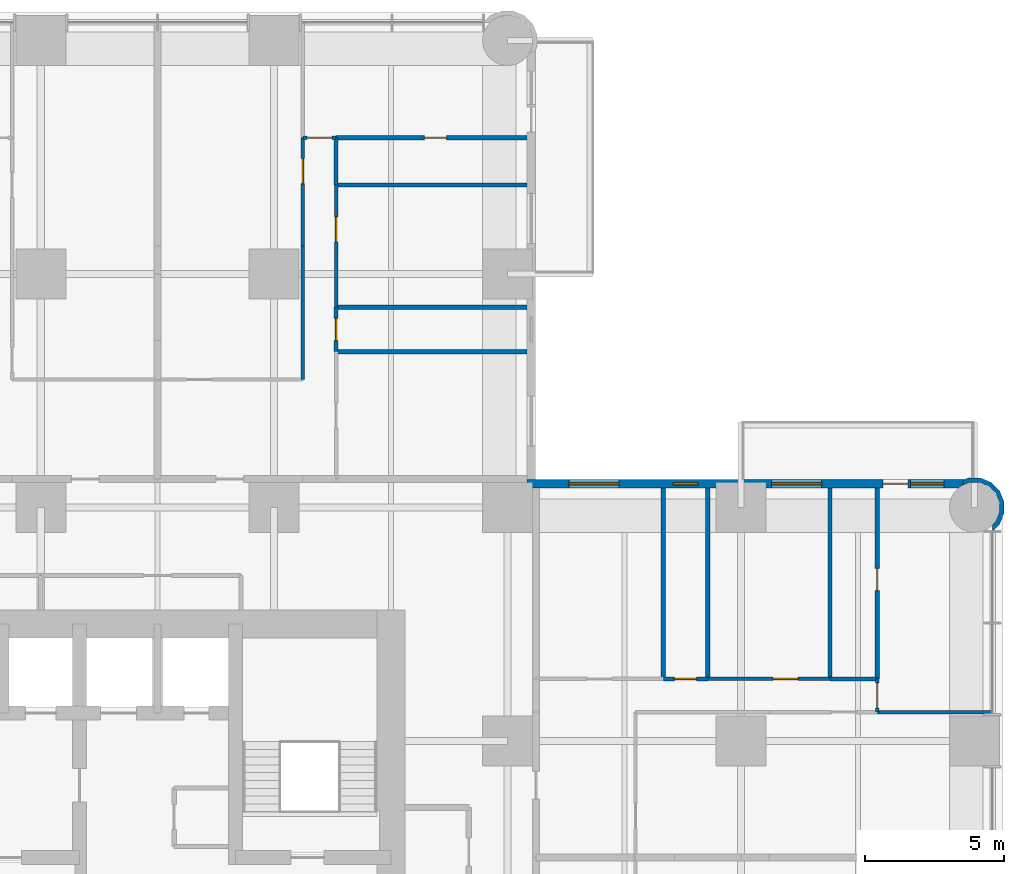
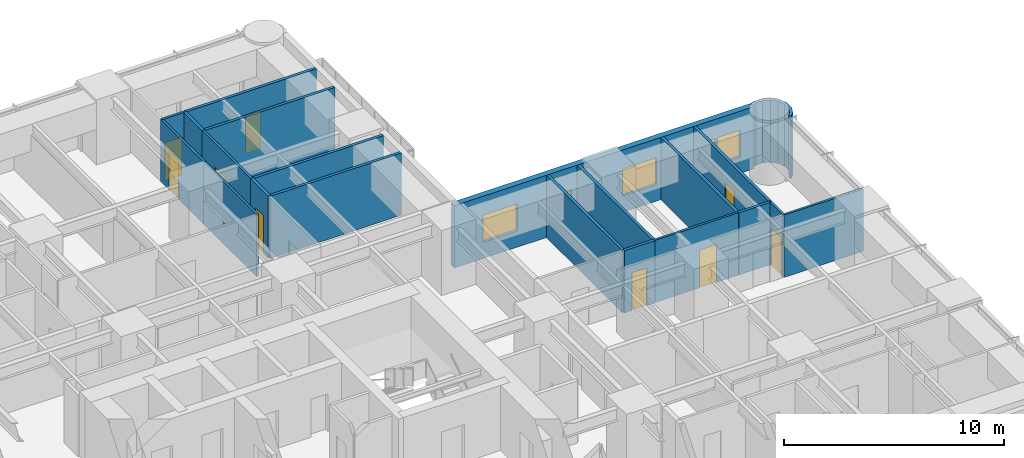
# One storey, part 14 of 17: 21 walls, 10 doors, 4 windows, 14 openings.
"""IFC4 building model written with IfcOpenShell, lengths in metres."""

from ifc_helpers import new_model, si_unit, direction, frame, frame_2d, origin, place, context, subcontext, project, spatial, polyline, rectangle, outline, extrude, material, layer, layer_set, type_object, element, fill, save


model = new_model("IFC4")

# Units and contexts
model_context = context("Model", 3, precision=1e-05, world=origin(), true_north=direction((0.0, 1.0)))
body_context = subcontext(model_context, "Body", "Model", "MODEL_VIEW")
ifc_project = project(units=[si_unit("LENGTHUNIT", "METRE"), si_unit("AREAUNIT", "SQUARE_METRE"), si_unit("VOLUMEUNIT", "CUBIC_METRE"), si_unit("PLANEANGLEUNIT", "RADIAN"), si_unit("MASSUNIT", "GRAM", prefix="KILO")], contexts=[model_context])

# Site, building, storey
site_placement = place(None, origin())
site = spatial("IfcSite", under=ifc_project, at=site_placement, CompositionType="ELEMENT")
building_placement = place(site_placement, origin())
building = spatial("IfcBuilding", under=site, at=building_placement, Name="Torre Alcanfor", CompositionType="ELEMENT")
storey_placement = place(building_placement, frame((0.0, 0.0, 77.699951171875)))
storey = spatial("IfcBuildingStorey", under=building, at=storey_placement, Name="L19", CompositionType="ELEMENT", Elevation=77.699951171875)

# Wall
ifc_material_1 = material(Name="Gypsum board on steel studs", Category="steel")
ifc_layer_1 = layer(ifc_material_1, 0.1201171875)
ifc_layer_set_1 = layer_set([ifc_layer_1], Name="Apartment partition 120")
wall_type_1 = type_object("IfcWallType", Name="Apartment partition 120", PredefinedType="PARTITIONING", material=ifc_layer_set_1)
wall_1_placement = place(storey_placement, frame((34.62890625, 51.39990234375, 0.0), z_axis=(0.0, 0.0, 1.0), x_axis=(0.0, -1.0, 0.0)))
element("IfcWall", 1, at=wall_1_placement, inside=storey, type_object=wall_type_1, Name="Partition L19-N2-KITCHEN / L19-N2-HALL", PredefinedType="PARTITIONING", context=body_context, shape_type="SweptSolid", body=[
    extrude(rectangle(XDim=4.7998046875, YDim=0.1201171875, at=frame_2d((2.39990234375, 0.0))), origin(), (0.0, 0.0, 1.0), 3.449951171875),
])

# Wall, opening, door
wall_2_placement = place(storey_placement, frame((34.62890625, 55.300048828125, 0.0), z_axis=(0.0, 0.0, 1.0), x_axis=(0.0, -1.0, 0.0)))
wall_2 = element("IfcWall", 2, at=wall_2_placement, inside=storey, type_object=wall_type_1, Name="Partition L19-N2-LIVING / L19-N2-HALL", PredefinedType="PARTITIONING", context=body_context, shape_type="SweptSolid", body=[
    extrude(rectangle(XDim=3.900146484375, YDim=0.1201171875, at=frame_2d((1.9501953125, 0.0))), origin(), (0.0, 0.0, 1.0), 3.449951171875),
])
opening_1_placement = place(wall_2_placement, frame((0.75, 0.0, 0.0)))
opening_1 = element("IfcOpeningElement", 3, at=opening_1_placement, cuts=wall_2, Name="Opening D-R1", PredefinedType="OPENING", context=body_context, shape_type="SweptSolid", body=[
    extrude(rectangle(XDim=0.89990234375, YDim=2.10009765625, at=frame_2d((0.449951171875, 1.050048828125))), frame((0.0, 0.070068359375, 0.0), z_axis=(0.0, -1.0, 0.0), x_axis=(1.0, 0.0, 0.0)), (0.0, 0.0, 1.0), 0.14013671875),
])
ifc_material_2 = material(Name="Timber", Category="wood")
door_type_1 = type_object("IfcDoorType", Name="Internal door 900x2100", OperationType="SINGLE_SWING_LEFT", PredefinedType="DOOR", material=ifc_material_2)
door_1_placement = place(opening_1_placement, frame((0.89990234375, 0.0, 0.0), z_axis=(0.0, 0.0, 1.0), x_axis=(-1.0, 0.0, 0.0)))
door_1 = element("IfcDoor", 4, at=door_1_placement, inside=storey, type_object=door_type_1, Name="Door L19-N2 living", OperationType="SINGLE_SWING_LEFT", OverallHeight=2.10009765625, OverallWidth=0.89990234375, PredefinedType="DOOR", context=body_context, shape_type="SweptSolid", body=[
    extrude(rectangle(XDim=0.89990234375, YDim=2.10009765625, at=frame_2d((0.449951171875, 1.050048828125))), frame((0.0, 0.025146484375, 0.0), z_axis=(0.0, -1.0, 0.0), x_axis=(1.0, 0.0, 0.0)), (0.0, 0.0, 1.0), 0.050048828125),
])
fill(opening_1, door_1)

wall_3_placement = place(storey_placement, frame((35.8291015625, 53.60009765625, 0.0), z_axis=(0.0, 0.0, 1.0), x_axis=(0.0, -1.0, 0.0)))
wall_3 = element("IfcWall", 5, at=wall_3_placement, inside=storey, type_object=wall_type_1, Name="Partition L19-N2-HALL / L19-N2-BED2", PredefinedType="PARTITIONING", context=body_context, shape_type="SweptSolid", body=[
    extrude(rectangle(XDim=4.400146484375, YDim=0.1201171875, at=frame_2d((2.2001953125, 0.0))), origin(), (0.0, 0.0, 1.0), 3.449951171875),
])
opening_2_placement = place(wall_3_placement, frame((1.14990234375, 0.0, 0.0)))
opening_2 = element("IfcOpeningElement", 6, at=opening_2_placement, cuts=wall_3, Name="Opening D-R1", PredefinedType="OPENING", context=body_context, shape_type="SweptSolid", body=[
    extrude(rectangle(XDim=0.89990234375, YDim=2.10009765625, at=frame_2d((0.449951171875, 1.050048828125))), frame((0.0, 0.070068359375, 0.0), z_axis=(0.0, -1.0, 0.0), x_axis=(1.0, 0.0, 0.0)), (0.0, 0.0, 1.0), 0.14013671875),
])
door_2_placement = place(opening_2_placement, origin())
door_2 = element("IfcDoor", 7, at=door_2_placement, inside=storey, type_object=door_type_1, Name="Door L19-N2 bed2", OperationType="SINGLE_SWING_LEFT", OverallHeight=2.10009765625, OverallWidth=0.89990234375, PredefinedType="DOOR", context=body_context, shape_type="SweptSolid", body=[
    extrude(rectangle(XDim=0.89990234375, YDim=2.10009765625, at=frame_2d((0.449951171875, 1.050048828125))), frame((0.0, 0.02490234375, 0.0), z_axis=(0.0, -1.0, 0.0), x_axis=(1.0, 0.0, 0.0)), (0.0, 0.0, 1.0), 0.050048828125),
])
fill(opening_2, door_2)

wall_4_placement = place(storey_placement, frame((34.62890625, 55.300048828125, 0.0), z_axis=(0.0, 0.0, 1.0), x_axis=(1.0, 0.0, 0.0)))
wall_4 = element("IfcWall", 8, at=wall_4_placement, inside=storey, type_object=wall_type_1, Name="Partition L19-N2-HALL / L19-N2-MASTER", PredefinedType="PARTITIONING", context=body_context, shape_type="SweptSolid", body=[
    extrude(rectangle(XDim=1.2001953125, YDim=0.1201171875, at=frame_2d((0.60009765625, 0.0))), origin(), (0.0, 0.0, 1.0), 3.449951171875),
])
opening_3_placement = place(wall_4_placement, frame((0.15087890625, 0.0, 0.0)))
opening_3 = element("IfcOpeningElement", 9, at=opening_3_placement, cuts=wall_4, Name="Opening D-R1", PredefinedType="OPENING", context=body_context, shape_type="SweptSolid", body=[
    extrude(rectangle(XDim=0.89990234375, YDim=2.10009765625, at=frame_2d((0.449951171875, 1.050048828125))), frame((0.0, 0.070068359375, 0.0), z_axis=(0.0, -1.0, 0.0), x_axis=(1.0, 0.0, 0.0)), (0.0, 0.0, 1.0), 0.14013671875),
])
door_3_placement = place(opening_3_placement, origin())
door_3 = element("IfcDoor", 10, at=door_3_placement, inside=storey, type_object=door_type_1, Name="Door L19-N2 master", OperationType="SINGLE_SWING_LEFT", OverallHeight=2.10009765625, OverallWidth=0.89990234375, PredefinedType="DOOR", context=body_context, shape_type="SweptSolid", body=[
    extrude(rectangle(XDim=0.89990234375, YDim=2.10009765625, at=frame_2d((0.449951171875, 1.050048828125))), frame((0.0, 0.02490234375, 0.0), z_axis=(0.0, -1.0, 0.0), x_axis=(1.0, 0.0, 0.0)), (0.0, 0.0, 1.0), 0.050048828125),
])
fill(opening_3, door_3)

# Wall
wall_5_placement = place(storey_placement, frame((59.449951171875, 34.62890625, 0.0), z_axis=(0.0, 0.0, 1.0), x_axis=(-1.0, 0.0, 0.0)))
element("IfcWall", 11, at=wall_5_placement, inside=storey, type_object=wall_type_1, Name="Partition L19-E1-LIVING / L19-E1-MASTER", PredefinedType="PARTITIONING", context=body_context, shape_type="SweptSolid", body=[
    extrude(rectangle(XDim=4.14990234375, YDim=0.1201171875, at=frame_2d((2.074951171875, 0.0))), origin(), (0.0, 0.0, 1.0), 3.449951171875),
])

# Wall, opening, door
wall_6_placement = place(storey_placement, frame((53.60009765625, 35.8291015625, 0.0), z_axis=(0.0, 0.0, 1.0), x_axis=(-1.0, 0.0, 0.0)))
wall_6 = element("IfcWall", 12, at=wall_6_placement, inside=storey, type_object=wall_type_1, Name="Partition L19-E1-HALL / L19-E1-BED2", PredefinedType="PARTITIONING", context=body_context, shape_type="SweptSolid", body=[
    extrude(rectangle(XDim=4.400146484375, YDim=0.1201171875, at=frame_2d((2.2001953125, 0.0))), origin(), (0.0, 0.0, 1.0), 3.449951171875),
])
opening_4_placement = place(wall_6_placement, frame((1.14990234375, 0.0, 0.0)))
opening_4 = element("IfcOpeningElement", 13, at=opening_4_placement, cuts=wall_6, Name="Opening D-R1", PredefinedType="OPENING", context=body_context, shape_type="SweptSolid", body=[
    extrude(rectangle(XDim=0.89990234375, YDim=2.10009765625, at=frame_2d((0.449951171875, 1.050048828125))), frame((0.0, 0.070068359375, 0.0), z_axis=(0.0, -1.0, 0.0), x_axis=(1.0, 0.0, 0.0)), (0.0, 0.0, 1.0), 0.14013671875),
])
door_4_placement = place(opening_4_placement, frame((0.89990234375, 0.0, 0.0), z_axis=(0.0, 0.0, 1.0), x_axis=(-1.0, 0.0, 0.0)))
door_4 = element("IfcDoor", 14, at=door_4_placement, inside=storey, type_object=door_type_1, Name="Door L19-E1 bed2", OperationType="SINGLE_SWING_RIGHT", OverallHeight=2.10009765625, OverallWidth=0.89990234375, PredefinedType="DOOR", context=body_context, shape_type="SweptSolid", body=[
    extrude(rectangle(XDim=0.89990234375, YDim=2.10009765625, at=frame_2d((0.449951171875, 1.050048828125))), frame((0.0, 0.025146484375, 0.0), z_axis=(0.0, -1.0, 0.0), x_axis=(1.0, 0.0, 0.0)), (0.0, 0.0, 1.0), 0.050048828125),
])
fill(opening_4, door_4)

wall_7_placement = place(storey_placement, frame((55.300048828125, 34.62890625, 0.0), z_axis=(0.0, 0.0, 1.0), x_axis=(0.0, 1.0, 0.0)))
wall_7 = element("IfcWall", 15, at=wall_7_placement, inside=storey, type_object=wall_type_1, Name="Partition L19-E1-HALL / L19-E1-MASTER", PredefinedType="PARTITIONING", context=body_context, shape_type="SweptSolid", body=[
    extrude(rectangle(XDim=1.2001953125, YDim=0.1201171875, at=frame_2d((0.60009765625, 0.0))), origin(), (0.0, 0.0, 1.0), 3.449951171875),
])
opening_5_placement = place(wall_7_placement, frame((0.15087890625, 0.0, 0.0)))
opening_5 = element("IfcOpeningElement", 16, at=opening_5_placement, cuts=wall_7, Name="Opening D-R1", PredefinedType="OPENING", context=body_context, shape_type="SweptSolid", body=[
    extrude(rectangle(XDim=0.89990234375, YDim=2.10009765625, at=frame_2d((0.449951171875, 1.050048828125))), frame((0.0, 0.070068359375, 0.0), z_axis=(0.0, -1.0, 0.0), x_axis=(1.0, 0.0, 0.0)), (0.0, 0.0, 1.0), 0.14013671875),
])
door_5_placement = place(opening_5_placement, frame((0.89990234375, 0.0, 0.0), z_axis=(0.0, 0.0, 1.0), x_axis=(-1.0, 0.0, 0.0)))
door_5 = element("IfcDoor", 17, at=door_5_placement, inside=storey, type_object=door_type_1, Name="Door L19-E1 master", OperationType="SINGLE_SWING_RIGHT", OverallHeight=2.10009765625, OverallWidth=0.89990234375, PredefinedType="DOOR", context=body_context, shape_type="SweptSolid", body=[
    extrude(rectangle(XDim=0.89990234375, YDim=2.10009765625, at=frame_2d((0.449951171875, 1.050048828125))), frame((0.0, 0.025146484375, 0.0), z_axis=(0.0, -1.0, 0.0), x_axis=(1.0, 0.0, 0.0)), (0.0, 0.0, 1.0), 0.050048828125),
])
fill(opening_5, door_5)

# Wall, openings, door, windows
ifc_material_3 = material(Name="Limestone cladding", Category="masonry")
ifc_layer_2 = layer(ifc_material_3, 0.0400390625, Name="Facing")
ifc_material_4 = material(Name="Ventilated air cavity")
ifc_layer_3 = layer(ifc_material_4, 0.02001953125, ventilated=True, Name="Ventilated joint")
ifc_material_5 = material(Name="Mineral wool insulation", Category="insulation")
ifc_layer_4 = layer(ifc_material_5, 0.10009765625, Name="Insulation")
ifc_material_6 = material(Name="Concrete f'c 35 MPa", Category="concrete")
ifc_layer_5 = layer(ifc_material_6, 0.139892578125, Name="Backing")
ifc_layer_set_2 = layer_set([ifc_layer_2, ifc_layer_3, ifc_layer_4, ifc_layer_5], Name="External wall stone-clad 300")
wall_type_2 = type_object("IfcWallType", Name="External wall stone-clad 300", PredefinedType="SOLIDWALL", material=ifc_layer_set_2)
wall_8_placement = place(storey_placement, frame((58.39990234375, 42.85009765625, 0.0), z_axis=(0.0, 0.0, 1.0), x_axis=(-1.0, 0.0, 0.0)))
wall_8 = element("IfcWall", 18, at=wall_8_placement, inside=storey, type_object=wall_type_2, Name="External wall L19 9", PredefinedType="SOLIDWALL", context=body_context, shape_type="SweptSolid", body=[
    extrude(rectangle(XDim=15.699951171875, YDim=0.300048828125, at=frame_2d((7.85009765625, 0.0))), origin(), (0.0, 0.0, 1.0), 3.449951171875),
])
opening_6_placement = place(wall_8_placement, frame((12.39990234375, 0.0, 0.89990234375)))
opening_6 = element("IfcOpeningElement", 19, at=opening_6_placement, cuts=wall_8, Name="Opening W2", PredefinedType="OPENING", context=body_context, shape_type="SweptSolid", body=[
    extrude(rectangle(XDim=1.800048828125, YDim=1.5, at=frame_2d((0.89990234375, 0.75))), frame((0.0, 0.159912109375, 0.0), z_axis=(0.0, -1.0, 0.0), x_axis=(1.0, 0.0, 0.0)), (0.0, 0.0, 1.0), 0.320068359375),
])
opening_7_placement = place(wall_8_placement, frame((9.550048828125, 0.0, 1.5)))
opening_7 = element("IfcOpeningElement", 20, at=opening_7_placement, cuts=wall_8, Name="Opening W3", PredefinedType="OPENING", context=body_context, shape_type="SweptSolid", body=[
    extrude(rectangle(XDim=0.89990234375, YDim=0.699951171875, at=frame_2d((0.449951171875, 0.35009765625))), frame((0.0, 0.159912109375, 0.0), z_axis=(0.0, -1.0, 0.0), x_axis=(1.0, 0.0, 0.0)), (0.0, 0.0, 1.0), 0.320068359375),
])
opening_8_placement = place(wall_8_placement, frame((5.10009765625, 0.0, 0.89990234375)))
opening_8 = element("IfcOpeningElement", 21, at=opening_8_placement, cuts=wall_8, Name="Opening W2", PredefinedType="OPENING", context=body_context, shape_type="SweptSolid", body=[
    extrude(rectangle(XDim=1.800048828125, YDim=1.5, at=frame_2d((0.89990234375, 0.75))), frame((0.0, 0.159912109375, 0.0), z_axis=(0.0, -1.0, 0.0), x_axis=(1.0, 0.0, 0.0)), (0.0, 0.0, 1.0), 0.320068359375),
])
opening_9_placement = place(wall_8_placement, frame((2.0, 0.0, 0.0)))
opening_9 = element("IfcOpeningElement", 22, at=opening_9_placement, cuts=wall_8, Name="Opening D-B1", PredefinedType="OPENING", context=body_context, shape_type="SweptSolid", body=[
    extrude(rectangle(XDim=0.89990234375, YDim=2.39990234375, at=frame_2d((0.449951171875, 1.199951171875))), frame((0.0, 0.159912109375, 0.0), z_axis=(0.0, -1.0, 0.0), x_axis=(1.0, 0.0, 0.0)), (0.0, 0.0, 1.0), 0.320068359375),
])
opening_10_placement = place(wall_8_placement, frame((0.699951171875, 0.0, 0.89990234375)))
opening_10 = element("IfcOpeningElement", 23, at=opening_10_placement, cuts=wall_8, Name="Opening W4", PredefinedType="OPENING", context=body_context, shape_type="SweptSolid", body=[
    extrude(rectangle(XDim=1.199951171875, YDim=1.5, at=frame_2d((0.60009765625, 0.75))), frame((0.0, 0.159912109375, 0.0), z_axis=(0.0, -1.0, 0.0), x_axis=(1.0, 0.0, 0.0)), (0.0, 0.0, 1.0), 0.320068359375),
])
ifc_material_7 = material(Name="Aluminium and glass", Category="aluminium")
door_type_2 = type_object("IfcDoorType", Name="Balcony door glazed 900x2400", OperationType="SINGLE_SWING_LEFT", PredefinedType="DOOR", material=ifc_material_7)
door_6_placement = place(opening_9_placement, origin())
door_6 = element("IfcDoor", 24, at=door_6_placement, inside=storey, type_object=door_type_2, Name="Balcony door L19-E1", OperationType="SINGLE_SWING_RIGHT", OverallHeight=2.39990234375, OverallWidth=0.89990234375, PredefinedType="DOOR", context=body_context, shape_type="SweptSolid", body=[
    extrude(rectangle(XDim=0.89990234375, YDim=2.39990234375, at=frame_2d((0.449951171875, 1.199951171875))), frame((0.0, 0.02490234375, 0.0), z_axis=(0.0, -1.0, 0.0), x_axis=(1.0, 0.0, 0.0)), (0.0, 0.0, 1.0), 0.050048828125),
])
fill(opening_9, door_6)
ifc_material_8 = material(Name="Aluminium frame with clear double glazing", Category="aluminium")
window_type_1 = type_object("IfcWindowType", Name="Window bathroom 900x700", PartitioningType="SINGLE_PANEL", PredefinedType="WINDOW", material=ifc_material_8)
window_1_placement = place(opening_7_placement, origin())
window_1 = element("IfcWindow", 25, at=window_1_placement, inside=storey, type_object=window_type_1, Name="Window W3 L19-E1", OverallHeight=0.699951171875, OverallWidth=0.89990234375, PartitioningType="SINGLE_PANEL", PredefinedType="WINDOW", context=body_context, shape_type="SweptSolid", body=[
    extrude(rectangle(XDim=0.89990234375, YDim=0.699951171875, at=frame_2d((0.449951171875, 0.35009765625))), frame((0.0, 0.030029296875, 0.0), z_axis=(0.0, -1.0, 0.0), x_axis=(1.0, 0.0, 0.0)), (0.0, 0.0, 1.0), 0.06005859375),
])
fill(opening_7, window_1)
ifc_material_9 = material(Name="Aluminium frame with clear double glazing", Category="aluminium")
window_type_2 = type_object("IfcWindowType", Name="Window bedroom 1200x1500", PartitioningType="SINGLE_PANEL", PredefinedType="WINDOW", material=ifc_material_9)
window_2_placement = place(opening_10_placement, origin())
window_2 = element("IfcWindow", 26, at=window_2_placement, inside=storey, type_object=window_type_2, Name="Window W4 L19-E1", OverallHeight=1.5, OverallWidth=1.199951171875, PartitioningType="SINGLE_PANEL", PredefinedType="WINDOW", context=body_context, shape_type="SweptSolid", body=[
    extrude(rectangle(XDim=1.199951171875, YDim=1.5, at=frame_2d((0.60009765625, 0.75))), frame((0.0, 0.030029296875, 0.0), z_axis=(0.0, -1.0, 0.0), x_axis=(1.0, 0.0, 0.0)), (0.0, 0.0, 1.0), 0.06005859375),
])
fill(opening_10, window_2)
ifc_material_10 = material(Name="Aluminium frame with clear double glazing", Category="aluminium")
window_type_3 = type_object("IfcWindowType", Name="Window bedroom 1800x1500", PartitioningType="SINGLE_PANEL", PredefinedType="WINDOW", material=ifc_material_10)
window_3_placement = place(opening_6_placement, origin())
window_3 = element("IfcWindow", 27, at=window_3_placement, inside=storey, type_object=window_type_3, Name="Window W2 L19-E1", OverallHeight=1.5, OverallWidth=1.800048828125, PartitioningType="SINGLE_PANEL", PredefinedType="WINDOW", context=body_context, shape_type="SweptSolid", body=[
    extrude(rectangle(XDim=1.800048828125, YDim=1.5, at=frame_2d((0.89990234375, 0.75))), frame((0.0, 0.030029296875, 0.0), z_axis=(0.0, -1.0, 0.0), x_axis=(1.0, 0.0, 0.0)), (0.0, 0.0, 1.0), 0.06005859375),
])
fill(opening_6, window_3)
window_4_placement = place(opening_8_placement, origin())
window_4 = element("IfcWindow", 28, at=window_4_placement, inside=storey, type_object=window_type_3, Name="Window W2 L19-E1", OverallHeight=1.5, OverallWidth=1.800048828125, PartitioningType="SINGLE_PANEL", PredefinedType="WINDOW", context=body_context, shape_type="SweptSolid", body=[
    extrude(rectangle(XDim=1.800048828125, YDim=1.5, at=frame_2d((0.89990234375, 0.75))), frame((0.0, 0.030029296875, 0.0), z_axis=(0.0, -1.0, 0.0), x_axis=(1.0, 0.0, 0.0)), (0.0, 0.0, 1.0), 0.06005859375),
])
fill(opening_8, window_4)

# Wall
ifc_layer_6 = layer(ifc_material_3, 0.0400390625, Name="Facing")
ifc_layer_7 = layer(ifc_material_4, 0.02001953125, ventilated=True, Name="Ventilated joint")
ifc_layer_8 = layer(ifc_material_5, 0.10009765625, Name="Insulation")
ifc_layer_9 = layer(ifc_material_6, 0.139892578125, Name="Backing")
ifc_layer_set_3 = layer_set([ifc_layer_6, ifc_layer_7, ifc_layer_8, ifc_layer_9], Name="Rounded corner pier stone-clad 300")
wall_type_3 = type_object("IfcWallType", Name="Rounded corner pier stone-clad 300", PredefinedType="SOLIDWALL", material=ifc_layer_set_3)
wall_9_placement = place(storey_placement, frame((59.410519256, 41.23340608, 0.0), z_axis=(0.0, 0.0, 1.0), x_axis=(0.926129809145, 0.377204953059, 0.0)))
element("IfcWall", 29, at=wall_9_placement, inside=storey, type_object=wall_type_3, Name="Corner pier L19 18", PredefinedType="SOLIDWALL", context=body_context, shape_type="SweptSolid", body=[
    extrude(outline(polyline([(0.6260654471319579, 0.34524919711057256), (0.7850146045978224, 0.7355079985228963), (0.7823098124660501, 1.1573373086599013), (0.6187697625812524, 1.546081906916958), (0.31877691555394516, 1.8425152342918512), (-0.07170799176881437, 2.0015564828107086), (-0.24004949470661174, 2.000526523212158), (-0.2695944713928893, 2.0173049949130335), (-0.36998902843916337, 1.8407134525266757), (-0.10235758996356603, 1.8421635923174307), (0.22956588655630128, 1.7069739265237522), (0.4845024203782949, 1.4552530429107593), (0.6236098424040335, 1.1249645948716174), (0.6257138051575375, 0.7663837026280839), (0.49052413936385914, 0.43446022610821644), (0.23848505878743742, 0.1793896774287799), (0.09020527382959523, 0.11693875386038477), (0.010914877202648991, -0.0777384350249053), (0.02448123182880161, -0.08326389820448342), (0.32940601384662893, 0.045348441136258355), (0.47997135267738844, 0.19755163478368112), (0.49907282709518125, 0.19267151555903828), (0.5076193949673722, 0.22530566424262682), (0.6260654471319579, 0.34524919711057256)])), origin(), (0.0, 0.0, 1.0), 3.449951171875),
])

# Wall, opening, door
ifc_material_11 = material(Name="Cement board on steel studs", Category="steel")
ifc_layer_10 = layer(ifc_material_11, 0.14990234375)
ifc_layer_set_4 = layer_set([ifc_layer_10], Name="Wet area partition 150")
wall_type_4 = type_object("IfcWallType", Name="Wet area partition 150", PredefinedType="PARTITIONING", material=ifc_layer_set_4)
wall_10_placement = place(storey_placement, frame((35.8291015625, 49.199951171875, 0.0), z_axis=(0.0, 0.0, 1.0), x_axis=(0.0, -1.0, 0.0)))
wall_10 = element("IfcWall", 30, at=wall_10_placement, inside=storey, type_object=wall_type_4, Name="Partition L19-N2-HALL / L19-N2-BATH1", PredefinedType="PARTITIONING", context=body_context, shape_type="SweptSolid", body=[
    extrude(rectangle(XDim=1.599853515625, YDim=0.14990234375, at=frame_2d((0.7998046875, 0.0))), origin(), (0.0, 0.0, 1.0), 3.449951171875),
])
opening_11_placement = place(wall_10_placement, frame((0.39990234375, 0.0, 0.0)))
opening_11 = element("IfcOpeningElement", 31, at=opening_11_placement, cuts=wall_10, Name="Opening D-R2", PredefinedType="OPENING", context=body_context, shape_type="SweptSolid", body=[
    extrude(rectangle(XDim=0.800048828125, YDim=2.10009765625, at=frame_2d((0.39990234375, 1.050048828125))), frame((0.0, 0.0849609375, 0.0), z_axis=(0.0, -1.0, 0.0), x_axis=(1.0, 0.0, 0.0)), (0.0, 0.0, 1.0), 0.169921875),
])
ifc_material_12 = material(Name="Timber", Category="wood")
door_type_3 = type_object("IfcDoorType", Name="Bathroom door 800x2100", OperationType="SINGLE_SWING_LEFT", PredefinedType="DOOR", material=ifc_material_12)
door_7_placement = place(opening_11_placement, origin())
door_7 = element("IfcDoor", 32, at=door_7_placement, inside=storey, type_object=door_type_3, Name="Door L19-N2 bath1", OperationType="SINGLE_SWING_LEFT", OverallHeight=2.10009765625, OverallWidth=0.800048828125, PredefinedType="DOOR", context=body_context, shape_type="SweptSolid", body=[
    extrude(rectangle(XDim=0.800048828125, YDim=2.10009765625, at=frame_2d((0.39990234375, 1.050048828125))), frame((0.0, 0.02490234375, 0.0), z_axis=(0.0, -1.0, 0.0), x_axis=(1.0, 0.0, 0.0)), (0.0, 0.0, 1.0), 0.050048828125),
])
fill(opening_11, door_7)

# Walls
wall_11_placement = place(storey_placement, frame((35.8291015625, 55.300048828125, 0.0), z_axis=(0.0, 0.0, 1.0), x_axis=(0.0, -1.0, 0.0)))
element("IfcWall", 33, at=wall_11_placement, inside=storey, type_object=wall_type_4, Name="Partition L19-N2-HALL / L19-N2-ENSBATH", PredefinedType="PARTITIONING", context=body_context, shape_type="SweptSolid", body=[
    extrude(rectangle(XDim=1.699951171875, YDim=0.14990234375, at=frame_2d((0.85009765625, 0.0))), origin(), (0.0, 0.0, 1.0), 3.449951171875),
])
for number, where, z_axis, x_axis, name in (
    (34, (35.8291015625, 47.60009765625, 0.0), (0.0, 0.0, 1.0), (1.0, 0.0, 0.0), "Partition L19-N2-BED3 / L19-N2-BATH1"),
    (35, (35.8291015625, 49.199951171875, 0.0), (0.0, 0.0, 1.0), (1.0, 0.0, 0.0), "Partition L19-N2-BATH1 / L19-N2-BED2"),
    (36, (35.8291015625, 53.60009765625, 0.0), (0.0, 0.0, 1.0), (1.0, 0.0, 0.0), "Partition L19-N2-BED2 / L19-N2-ENSBATH"),
):
    element("IfcWall", number, at=place(storey_placement, frame(where, z_axis=z_axis, x_axis=x_axis)), inside=storey, type_object=wall_type_4, Name=name, PredefinedType="PARTITIONING", context=body_context, shape_type="SweptSolid", body=[
        extrude(rectangle(XDim=6.870849609375, YDim=0.14990234375, at=frame_2d((3.435546875, 0.0))), origin(), (0.0, 0.0, 1.0), 3.449951171875),
    ])

# Wall, opening, door
wall_12_placement = place(storey_placement, frame((35.8291015625, 55.300048828125, 0.0), z_axis=(0.0, 0.0, 1.0), x_axis=(1.0, 0.0, 0.0)))
wall_12 = element("IfcWall", 37, at=wall_12_placement, inside=storey, type_object=wall_type_4, Name="Partition L19-N2-ENSBATH / L19-N2-MASTER", PredefinedType="PARTITIONING", context=body_context, shape_type="SweptSolid", body=[
    extrude(rectangle(XDim=6.870849609375, YDim=0.14990234375, at=frame_2d((3.435546875, 0.0))), origin(), (0.0, 0.0, 1.0), 3.449951171875),
])
opening_12_placement = place(wall_12_placement, frame((3.1708984375, 0.0, 0.0)))
opening_12 = element("IfcOpeningElement", 38, at=opening_12_placement, cuts=wall_12, Name="Opening D-R2", PredefinedType="OPENING", context=body_context, shape_type="SweptSolid", body=[
    extrude(rectangle(XDim=0.800048828125, YDim=2.10009765625, at=frame_2d((0.39990234375, 1.050048828125))), frame((0.0, 0.0849609375, 0.0), z_axis=(0.0, -1.0, 0.0), x_axis=(1.0, 0.0, 0.0)), (0.0, 0.0, 1.0), 0.169921875),
])
door_8_placement = place(opening_12_placement, frame((0.800048828125, 0.0, 0.0), z_axis=(0.0, 0.0, 1.0), x_axis=(-1.0, 0.0, 0.0)))
door_8 = element("IfcDoor", 39, at=door_8_placement, inside=storey, type_object=door_type_3, Name="Door L19-N2 ensbath", OperationType="SINGLE_SWING_LEFT", OverallHeight=2.10009765625, OverallWidth=0.800048828125, PredefinedType="DOOR", context=body_context, shape_type="SweptSolid", body=[
    extrude(rectangle(XDim=0.800048828125, YDim=2.10009765625, at=frame_2d((0.400146484375, 1.050048828125))), frame((0.0, 0.025146484375, 0.0), z_axis=(0.0, -1.0, 0.0), x_axis=(1.0, 0.0, 0.0)), (0.0, 0.0, 1.0), 0.050048828125),
])
fill(opening_12, door_8)

wall_13_placement = place(storey_placement, frame((49.199951171875, 35.8291015625, 0.0), z_axis=(0.0, 0.0, 1.0), x_axis=(-1.0, 0.0, 0.0)))
wall_13 = element("IfcWall", 40, at=wall_13_placement, inside=storey, type_object=wall_type_4, Name="Partition L19-E1-HALL / L19-E1-BATH1", PredefinedType="PARTITIONING", context=body_context, shape_type="SweptSolid", body=[
    extrude(rectangle(XDim=1.599853515625, YDim=0.14990234375, at=frame_2d((0.7998046875, 0.0))), origin(), (0.0, 0.0, 1.0), 3.449951171875),
])
opening_13_placement = place(wall_13_placement, frame((0.39990234375, 0.0, 0.0)))
opening_13 = element("IfcOpeningElement", 41, at=opening_13_placement, cuts=wall_13, Name="Opening D-R2", PredefinedType="OPENING", context=body_context, shape_type="SweptSolid", body=[
    extrude(rectangle(XDim=0.800048828125, YDim=2.10009765625, at=frame_2d((0.39990234375, 1.050048828125))), frame((0.0, 0.0849609375, 0.0), z_axis=(0.0, -1.0, 0.0), x_axis=(1.0, 0.0, 0.0)), (0.0, 0.0, 1.0), 0.169921875),
])
door_9_placement = place(opening_13_placement, frame((0.800048828125, 0.0, 0.0), z_axis=(0.0, 0.0, 1.0), x_axis=(-1.0, 0.0, 0.0)))
door_9 = element("IfcDoor", 42, at=door_9_placement, inside=storey, type_object=door_type_3, Name="Door L19-E1 bath1", OperationType="SINGLE_SWING_RIGHT", OverallHeight=2.10009765625, OverallWidth=0.800048828125, PredefinedType="DOOR", context=body_context, shape_type="SweptSolid", body=[
    extrude(rectangle(XDim=0.800048828125, YDim=2.10009765625, at=frame_2d((0.400146484375, 1.050048828125))), frame((0.0, 0.025146484375, 0.0), z_axis=(0.0, -1.0, 0.0), x_axis=(1.0, 0.0, 0.0)), (0.0, 0.0, 1.0), 0.050048828125),
])
fill(opening_13, door_9)

# Walls
wall_14_placement = place(storey_placement, frame((55.300048828125, 35.8291015625, 0.0), z_axis=(0.0, 0.0, 1.0), x_axis=(-1.0, 0.0, 0.0)))
element("IfcWall", 43, at=wall_14_placement, inside=storey, type_object=wall_type_4, Name="Partition L19-E1-HALL / L19-E1-ENSBATH", PredefinedType="PARTITIONING", context=body_context, shape_type="SweptSolid", body=[
    extrude(rectangle(XDim=1.699951171875, YDim=0.14990234375, at=frame_2d((0.85009765625, 0.0))), origin(), (0.0, 0.0, 1.0), 3.449951171875),
])
for number, where, z_axis, x_axis, name in (
    (44, (47.60009765625, 35.8291015625, 0.0), (0.0, 0.0, 1.0), (0.0, 1.0, 0.0), "Partition L19-E1-BED3 / L19-E1-BATH1"),
    (45, (49.199951171875, 35.8291015625, 0.0), (0.0, 0.0, 1.0), (0.0, 1.0, 0.0), "Partition L19-E1-BATH1 / L19-E1-BED2"),
    (46, (53.60009765625, 35.8291015625, 0.0), (0.0, 0.0, 1.0), (0.0, 1.0, 0.0), "Partition L19-E1-BED2 / L19-E1-ENSBATH"),
):
    element("IfcWall", number, at=place(storey_placement, frame(where, z_axis=z_axis, x_axis=x_axis)), inside=storey, type_object=wall_type_4, Name=name, PredefinedType="PARTITIONING", context=body_context, shape_type="SweptSolid", body=[
        extrude(rectangle(XDim=6.870849609375, YDim=0.14990234375, at=frame_2d((3.435546875, 0.0))), origin(), (0.0, 0.0, 1.0), 3.449951171875),
    ])

# Wall, opening, door
wall_15_placement = place(storey_placement, frame((55.300048828125, 35.8291015625, 0.0), z_axis=(0.0, 0.0, 1.0), x_axis=(0.0, 1.0, 0.0)))
wall_15 = element("IfcWall", 47, at=wall_15_placement, inside=storey, type_object=wall_type_4, Name="Partition L19-E1-ENSBATH / L19-E1-MASTER", PredefinedType="PARTITIONING", context=body_context, shape_type="SweptSolid", body=[
    extrude(rectangle(XDim=6.870849609375, YDim=0.14990234375, at=frame_2d((3.435546875, 0.0))), origin(), (0.0, 0.0, 1.0), 3.449951171875),
])
opening_14_placement = place(wall_15_placement, frame((3.1708984375, 0.0, 0.0)))
opening_14 = element("IfcOpeningElement", 48, at=opening_14_placement, cuts=wall_15, Name="Opening D-R2", PredefinedType="OPENING", context=body_context, shape_type="SweptSolid", body=[
    extrude(rectangle(XDim=0.800048828125, YDim=2.10009765625, at=frame_2d((0.39990234375, 1.050048828125))), frame((0.0, 0.0849609375, 0.0), z_axis=(0.0, -1.0, 0.0), x_axis=(1.0, 0.0, 0.0)), (0.0, 0.0, 1.0), 0.169921875),
])
door_10_placement = place(opening_14_placement, origin())
door_10 = element("IfcDoor", 49, at=door_10_placement, inside=storey, type_object=door_type_3, Name="Door L19-E1 ensbath", OperationType="SINGLE_SWING_RIGHT", OverallHeight=2.10009765625, OverallWidth=0.800048828125, PredefinedType="DOOR", context=body_context, shape_type="SweptSolid", body=[
    extrude(rectangle(XDim=0.800048828125, YDim=2.10009765625, at=frame_2d((0.39990234375, 1.050048828125))), frame((0.0, 0.02490234375, 0.0), z_axis=(0.0, -1.0, 0.0), x_axis=(1.0, 0.0, 0.0)), (0.0, 0.0, 1.0), 0.050048828125),
])
fill(opening_14, door_10)

save(model, "model.ifc")
